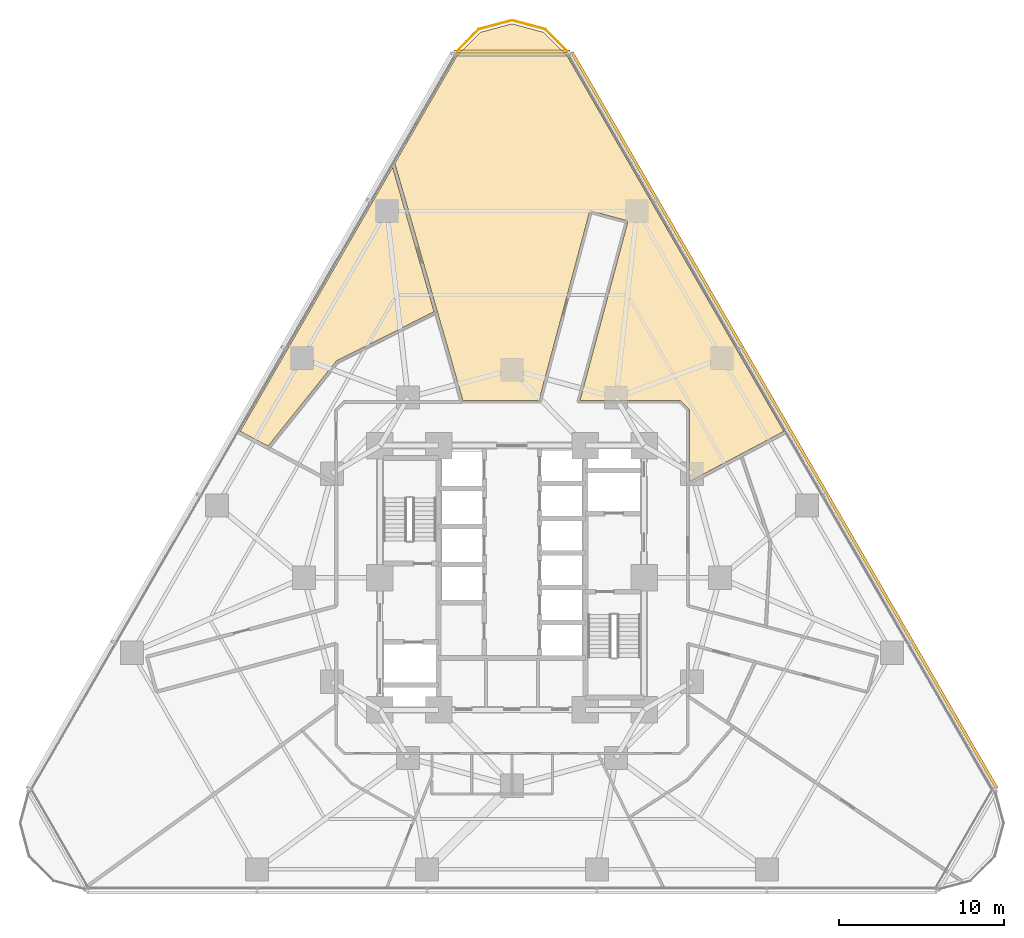
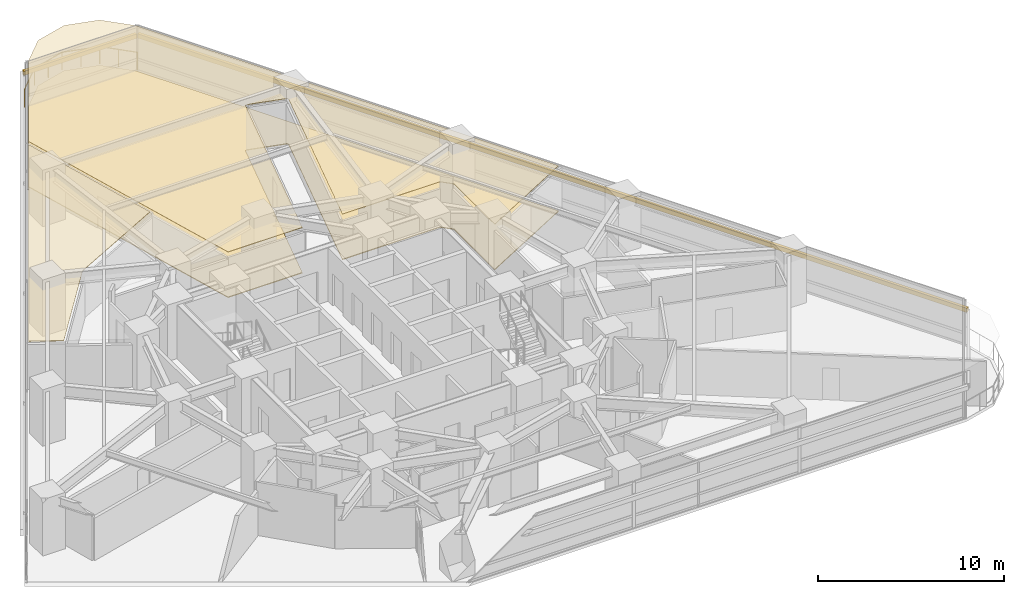
# One storey, part 16 of 16: 3 coverings, 2 shading devices, 1 railing.
"""IFC4 building model written with IfcOpenShell, lengths in metres."""

from ifc_helpers import new_model, si_unit, direction, frame, origin, origin_2d, place, context, subcontext, project, spatial, polyline, rectangle, circle, outline, extrude, material, layer, layer_set, type_object, element, save


model = new_model("IFC4")

# Units and contexts
model_context = context("Model", 3, precision=1e-05, world=origin(), true_north=direction((0.0, 1.0)))
body_context = subcontext(model_context, "Body", "Model", "MODEL_VIEW")
ifc_project = project(units=[si_unit("LENGTHUNIT", "METRE"), si_unit("AREAUNIT", "SQUARE_METRE"), si_unit("VOLUMEUNIT", "CUBIC_METRE"), si_unit("PLANEANGLEUNIT", "RADIAN"), si_unit("MASSUNIT", "GRAM", prefix="KILO")], contexts=[model_context])

# Site, building, storey
site_placement = place(None, origin())
site = spatial("IfcSite", under=ifc_project, at=site_placement, CompositionType="ELEMENT")
building_placement = place(site_placement, origin())
building = spatial("IfcBuilding", under=site, at=building_placement, Name="Terralouvre Media Tower", CompositionType="ELEMENT")
storey_placement = place(building_placement, frame((0.0, 0.0, 40.800048828125)))
storey = spatial("IfcBuildingStorey", under=building, at=storey_placement, Name="L09", CompositionType="ELEMENT", Elevation=40.800048828125)

# Coverings
ifc_material_1 = material(Name="Resilient elastomer acoustic broadcast studio flooring")
ifc_layer_1 = layer(ifc_material_1, 0.050048828125, Name="Broadcast Studio Acoustic Floating Floor FL-AC1")
ifc_layer_set_1 = layer_set([ifc_layer_1], Name="Resilient elastomer acoustic broadcast studio flooring")
covering_type_1 = type_object("IfcCoveringType", Name="Broadcast Studio Acoustic Floating Floor FL-AC1", PredefinedType="FLOORING", material=ifc_layer_set_1)
covering_1_placement = place(storey_placement, origin())
element("IfcCovering", 1, at=covering_1_placement, inside=storey, type_object=covering_type_1, Name="L09 Broadcast Floor Crew Room 1 Acoustic Floating Floor", PredefinedType="FLOORING", context=body_context, shape_type="SweptSolid", body=[
    extrude(outline(polyline([(-4.510009765625, 16.090576171875), (-2.978515625, 10.75), (1.63818359375, 10.75), (4.6904296875, 22.140869140625), (4.693359375, 22.150146484375), (4.697265625, 22.1591796875), (4.7021484375, 22.167724609375), (4.707763671875, 22.17578125), (4.714111328125, 22.183349609375), (4.72119140625, 22.190185546875), (4.728759765625, 22.1962890625), (4.737060546875, 22.20166015625), (4.74560546875, 22.2060546875), (4.7548828125, 22.209716796875), (4.764404296875, 22.21240234375), (4.77392578125, 22.214111328125), (4.78369140625, 22.21484375), (4.793701171875, 22.21484375), (4.80322265625, 22.213623046875), (4.81298828125, 22.211669921875), (6.93798828125, 21.6416015625), (6.947265625, 21.638671875), (6.956298828125, 21.634765625), (6.96484375, 21.6298828125), (6.972900390625, 21.624267578125), (6.98046875, 21.617919921875), (6.9873046875, 21.61083984375), (6.993408203125, 21.603271484375), (6.99853515625, 21.594970703125), (7.003173828125, 21.586181640625), (7.006591796875, 21.5771484375), (7.009521484375, 21.567626953125), (7.010986328125, 21.55810546875), (7.011962890625, 21.54833984375), (7.01171875, 21.53857421875), (7.0107421875, 21.52880859375), (7.008544921875, 21.51904296875), (4.122314453125, 10.75), (10.14990234375, 10.75), (10.159912109375, 10.74951171875), (10.16943359375, 10.748046875), (10.178955078125, 10.74560546875), (10.188232421875, 10.742431640625), (10.197021484375, 10.73828125), (10.20556640625, 10.733154296875), (10.21337890625, 10.727294921875), (10.220703125, 10.720703125), (10.720703125, 10.220703125), (10.727294921875, 10.21337890625), (10.733154296875, 10.20556640625), (10.73828125, 10.197021484375), (10.742431640625, 10.188232421875), (10.74560546875, 10.178955078125), (10.748046875, 10.16943359375), (10.74951171875, 10.159912109375), (10.75, 10.14990234375), (10.75, 5.829345703125), (13.839111328125, 7.47119140625), (16.468505859375, 8.86962890625), (3.3310546875, 31.62353515625), (1.9111328125, 33.043212890625), (0.0, 33.555419921875), (-1.9111328125, 33.043212890625), (-3.3310546875, 31.62353515625), (-7.09521484375, 25.104736328125), (-4.510009765625, 16.090576171875)])), origin(), (0.0, 0.0, 1.0), 0.050048828125),
])
ifc_material_2 = material(Name="Perforated aluminium acoustic ceiling baffle", Category="aluminium")
ifc_layer_2 = layer(ifc_material_2, 0.0400390625, Name="Perforated Acoustic Metal Tile Ceiling CL-AC1")
ifc_layer_set_2 = layer_set([ifc_layer_2], Name="Perforated aluminium acoustic ceiling baffle")
covering_type_2 = type_object("IfcCoveringType", Name="Perforated Acoustic Metal Tile Ceiling CL-AC1", PredefinedType="CEILING", material=ifc_layer_set_2)
covering_2_placement = place(storey_placement, frame((0.0, 0.0, 2.97998046875)))
element("IfcCovering", 2, at=covering_2_placement, inside=storey, type_object=covering_type_2, Name="L09 Broadcast Floor Crew Room 1 Acoustic Ceiling", PredefinedType="CEILING", context=body_context, shape_type="SweptSolid", body=[
    extrude(outline(polyline([(-4.510009765625, 16.090576171875), (-2.978515625, 10.75), (1.63818359375, 10.75), (4.6904296875, 22.140869140625), (4.693359375, 22.150146484375), (4.697265625, 22.1591796875), (4.7021484375, 22.167724609375), (4.707763671875, 22.17578125), (4.714111328125, 22.183349609375), (4.72119140625, 22.190185546875), (4.728759765625, 22.1962890625), (4.737060546875, 22.20166015625), (4.74560546875, 22.2060546875), (4.7548828125, 22.209716796875), (4.764404296875, 22.21240234375), (4.77392578125, 22.214111328125), (4.78369140625, 22.21484375), (4.793701171875, 22.21484375), (4.80322265625, 22.213623046875), (4.81298828125, 22.211669921875), (6.93798828125, 21.6416015625), (6.947265625, 21.638671875), (6.956298828125, 21.634765625), (6.96484375, 21.6298828125), (6.972900390625, 21.624267578125), (6.98046875, 21.617919921875), (6.9873046875, 21.61083984375), (6.993408203125, 21.603271484375), (6.99853515625, 21.594970703125), (7.003173828125, 21.586181640625), (7.006591796875, 21.5771484375), (7.009521484375, 21.567626953125), (7.010986328125, 21.55810546875), (7.011962890625, 21.54833984375), (7.01171875, 21.53857421875), (7.0107421875, 21.52880859375), (7.008544921875, 21.51904296875), (4.122314453125, 10.75), (10.14990234375, 10.75), (10.159912109375, 10.74951171875), (10.16943359375, 10.748046875), (10.178955078125, 10.74560546875), (10.188232421875, 10.742431640625), (10.197021484375, 10.73828125), (10.20556640625, 10.733154296875), (10.21337890625, 10.727294921875), (10.220703125, 10.720703125), (10.720703125, 10.220703125), (10.727294921875, 10.21337890625), (10.733154296875, 10.20556640625), (10.73828125, 10.197021484375), (10.742431640625, 10.188232421875), (10.74560546875, 10.178955078125), (10.748046875, 10.16943359375), (10.74951171875, 10.159912109375), (10.75, 10.14990234375), (10.75, 5.829345703125), (13.839111328125, 7.47119140625), (16.468505859375, 8.86962890625), (3.3310546875, 31.62353515625), (1.9111328125, 33.043212890625), (0.0, 33.555419921875), (-1.9111328125, 33.043212890625), (-3.3310546875, 31.62353515625), (-7.09521484375, 25.104736328125), (-4.510009765625, 16.090576171875)])), origin(), (0.0, 0.0, 1.0), 0.0400390625),
])
covering_3_placement = place(storey_placement, frame((0.0, 0.0, 2.97998046875)))
element("IfcCovering", 3, at=covering_3_placement, inside=storey, type_object=covering_type_2, Name="L09 Script Readout Seminar Room 11 Acoustic Ceiling", PredefinedType="CEILING", context=body_context, shape_type="SweptSolid", body=[
    extrude(outline(polyline([(-10.65087890625, 13.11865234375), (-10.643798828125, 13.126708984375), (-10.635986328125, 13.1337890625), (-10.627197265625, 13.139892578125), (-10.617919921875, 13.145263671875), (-4.72509765625, 16.114990234375), (-7.234130859375, 24.864013671875), (-16.468505859375, 8.86962890625), (-14.78125, 7.97216796875), (-10.65087890625, 13.11865234375)])), origin(), (0.0, 0.0, 1.0), 0.0400390625),
])

# Railing
ifc_material_3 = material(Name="Stainless steel 316 handrail and balustrade", Category="steel")
ifc_layer_3 = layer(ifc_material_3, 0.06005859375, Name="Roof Edge Safety Guardrail GR-ROOF1")
ifc_layer_set_3 = layer_set([ifc_layer_3], Name="Stainless steel 316 handrail and balustrade")
railing_type = type_object("IfcRailingType", Name="Roof Edge Safety Guardrail GR-ROOF1", PredefinedType="GUARDRAIL", material=ifc_layer_set_3)
railing_placement = place(storey_placement, frame((3.505859375, 31.74365234375, 0.0)))
element("IfcRailing", 4, at=railing_placement, inside=storey, type_object=railing_type, Name="L09 Wind-Corner Perimeter Safety Guardrail C2", PredefinedType="GUARDRAIL", context=body_context, shape_type="SweptSolid", body=[
    extrude(circle(Radius=0.02099609375, at=origin_2d()), frame((0.0, 0.0, 1.12890625), z_axis=(-0.706932035913, 0.707281483286, 0.0), x_axis=(-0.707281483286, -0.706932035913, 0.0)), (0.0, 0.0, 1.0), 2.095947265625),
    extrude(circle(Radius=0.02099609375, at=origin_2d()), frame((-1.481689453125, 1.482421875, 1.12890625), z_axis=(-0.965913206711, 0.258866137416, 0.0), x_axis=(-0.258866137416, -0.965913206711, 0.0)), (0.0, 0.0, 1.0), 2.095703125),
    extrude(circle(Radius=0.02099609375, at=origin_2d()), frame((-3.505859375, 2.02490234375, 1.12890625), z_axis=(-0.965913206711, -0.258866137416, 0.0), x_axis=(0.258866137416, -0.965913206711, 0.0)), (0.0, 0.0, 1.0), 2.095703125),
    extrude(circle(Radius=0.02099609375, at=origin_2d()), frame((-5.530029296875, 1.482421875, 1.12890625), z_axis=(-0.706932035913, -0.707281483286, 0.0), x_axis=(0.707281483286, -0.706932035913, 0.0)), (0.0, 0.0, 1.0), 2.095947265625),
    extrude(circle(Radius=0.01904296875, at=origin_2d()), origin(), (0.0, 0.0, 1.0), 1.10791015625),
    extrude(circle(Radius=0.01904296875, at=origin_2d()), frame((-0.74072265625, 0.7412109375, 0.0)), (0.0, 0.0, 1.0), 1.10791015625),
    extrude(circle(Radius=0.01904296875, at=origin_2d()), frame((-1.481689453125, 1.482421875, 0.0)), (0.0, 0.0, 1.0), 1.10791015625),
    extrude(circle(Radius=0.01904296875, at=origin_2d()), frame((-2.49365234375, 1.753662109375, 0.0)), (0.0, 0.0, 1.0), 1.10791015625),
    extrude(circle(Radius=0.01904296875, at=origin_2d()), frame((-3.505859375, 2.02490234375, 0.0)), (0.0, 0.0, 1.0), 1.10791015625),
    extrude(circle(Radius=0.01904296875, at=origin_2d()), frame((-4.51806640625, 1.753662109375, 0.0)), (0.0, 0.0, 1.0), 1.10791015625),
    extrude(circle(Radius=0.01904296875, at=origin_2d()), frame((-5.530029296875, 1.482421875, 0.0)), (0.0, 0.0, 1.0), 1.10791015625),
    extrude(circle(Radius=0.01904296875, at=origin_2d()), frame((-6.27099609375, 0.7412109375, 0.0)), (0.0, 0.0, 1.0), 1.10791015625),
    extrude(circle(Radius=0.01904296875, at=origin_2d()), frame((-7.01171875, 0.0, 0.0)), (0.0, 0.0, 1.0), 1.10791015625),
])

# Shading devices
ifc_material_4 = material(Name="Extruded terracotta baguette sunshade louvres", Category="masonry")
shading_device_type = type_object("IfcShadingDeviceType", Name="Terracotta Baguette Sunshade Louvre Screen TB-LV1", PredefinedType="USERDEFINED", material=ifc_material_4)
shading_device_1_placement = place(storey_placement, frame((16.503662109375, 9.5283203125, 2.02392578125), z_axis=(0.0, 0.0, 1.0), x_axis=(-0.499999985671, 0.866025412057, 0.0)))
element("IfcShadingDevice", 5, at=shading_device_1_placement, inside=storey, type_object=shading_device_type, Name="CW-L09-F1 Terracotta Baguette Sunshade Louvre", ObjectType="BAGUETTE", PredefinedType="USERDEFINED", context=body_context, shape_type="SweptSolid", body=[
    extrude(rectangle(XDim=51.5, YDim=0.179931640625, at=origin_2d()), origin(), (0.0, 0.0, 1.0), 0.280029296875),
])
shading_device_2_placement = place(storey_placement, frame((0.0, 31.87841796875, 2.02392578125), z_axis=(0.0, 0.0, 1.0), x_axis=(-1.0, 0.0, 0.0)))
element("IfcShadingDevice", 6, at=shading_device_2_placement, inside=storey, type_object=shading_device_type, Name="CW-L09-C2 Terracotta Baguette Sunshade Louvre", ObjectType="BAGUETTE", PredefinedType="USERDEFINED", context=body_context, shape_type="SweptSolid", body=[
    extrude(rectangle(XDim=7.014892578125, YDim=0.179931640625, at=origin_2d()), origin(), (0.0, 0.0, 1.0), 0.280029296875),
])

save(model, "model.ifc")
